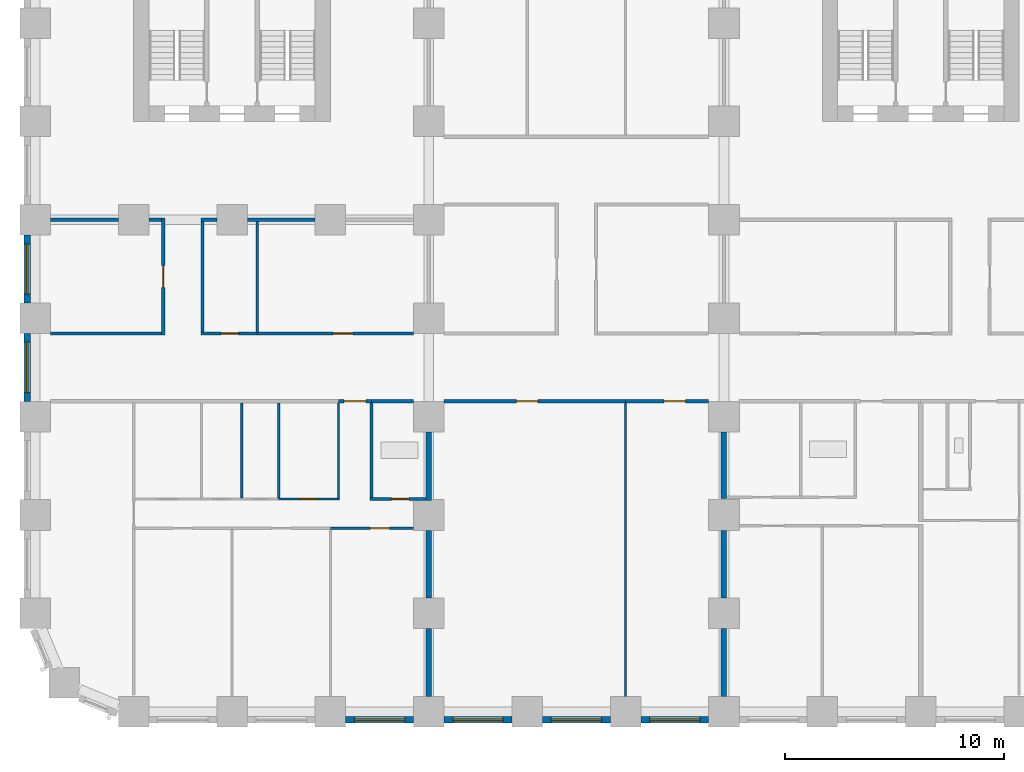
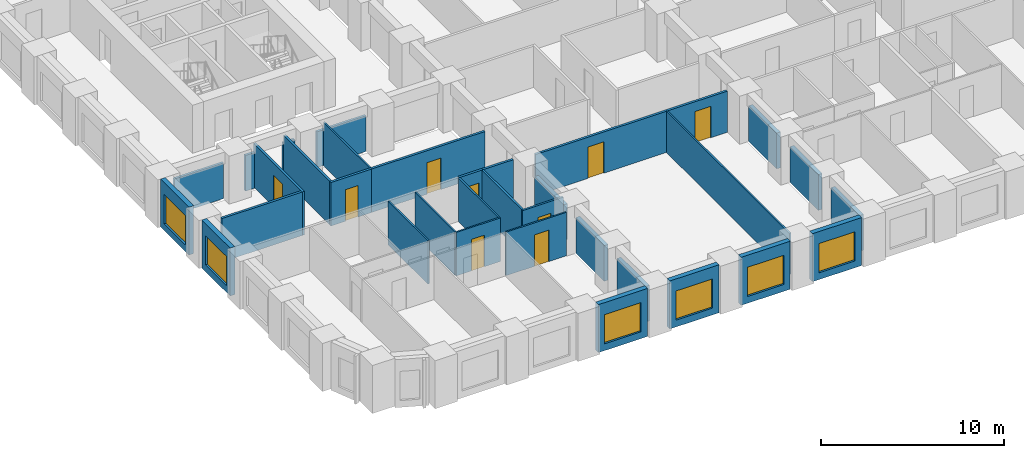
# One storey, part 3 of 13: 34 walls, 9 doors, 6 windows, 15 openings.
"""IFC4 building model written with IfcOpenShell, lengths in metres."""

from ifc_helpers import new_model, si_unit, direction, frame, frame_2d, origin, place, context, subcontext, project, spatial, rectangle, extrude, material, layer, layer_set, type_object, element, fill, save


model = new_model("IFC4")

# Units and contexts
model_context = context("Model", 3, precision=1e-05, world=origin(), true_north=direction((0.0, 1.0)))
body_context = subcontext(model_context, "Body", "Model", "MODEL_VIEW")
ifc_project = project(units=[si_unit("LENGTHUNIT", "METRE"), si_unit("AREAUNIT", "SQUARE_METRE"), si_unit("VOLUMEUNIT", "CUBIC_METRE"), si_unit("PLANEANGLEUNIT", "RADIAN"), si_unit("MASSUNIT", "GRAM", prefix="KILO")], contexts=[model_context])

# Site, building, storey
site_placement = place(None, origin())
site = spatial("IfcSite", under=ifc_project, at=site_placement, CompositionType="ELEMENT")
building_placement = place(site_placement, origin())
building = spatial("IfcBuilding", under=site, at=building_placement, Name="Girih Gate Residences", CompositionType="ELEMENT")
storey_placement = place(building_placement, frame((0.0, 0.0, 46.39990234375)))
storey = spatial("IfcBuildingStorey", under=building, at=storey_placement, Name="L11", CompositionType="ELEMENT", Elevation=46.39990234375)

# Walls
ifc_material_1 = material(Name="Gypsum board on steel studs", Category="steel")
ifc_layer_1 = layer(ifc_material_1, 0.25)
ifc_layer_set_1 = layer_set([ifc_layer_1], Name="Acoustic separating wall 250 mm")
wall_type_1 = type_object("IfcWallType", Name="Acoustic separating wall 250 mm", PredefinedType="PARTITIONING", material=ifc_layer_set_1)
wall_1_placement = place(storey_placement, frame((18.0, 9.66748046875, 0.0), z_axis=(0.0, 0.0, 1.0), x_axis=(0.0, 1.0, 0.0)))
element("IfcWall", 1, at=wall_1_placement, inside=storey, type_object=wall_type_1, Name="L11 partition", PredefinedType="PARTITIONING", context=body_context, shape_type="SweptSolid", body=[
    extrude(rectangle(XDim=3.132568359375, YDim=0.25, at=frame_2d((1.56640625, 0.0))), origin(), (0.0, 0.0, 1.0), 2.380126953125),
])
for number, where, z_axis, x_axis, name in (
    (2, (18.0, 5.199951171875, 0.0), (0.0, 0.0, 1.0), (0.0, 1.0, 0.0), "L11 partition"),
    (3, (18.0, 0.699951171875, 0.0), (0.0, 0.0, 1.0), (0.0, 1.0, 0.0), "L11 partition"),
):
    element("IfcWall", number, at=place(storey_placement, frame(where, z_axis=z_axis, x_axis=x_axis)), inside=storey, type_object=wall_type_1, Name=name, PredefinedType="PARTITIONING", context=body_context, shape_type="SweptSolid", body=[
        extrude(rectangle(XDim=3.10009765625, YDim=0.25, at=frame_2d((1.550048828125, 0.0))), origin(), (0.0, 0.0, 1.0), 2.380126953125),
    ])
wall_2_placement = place(storey_placement, frame((31.5, 9.760009765625, 0.0), z_axis=(0.0, 0.0, 1.0), x_axis=(0.0, 1.0, 0.0)))
element("IfcWall", 4, at=wall_2_placement, inside=storey, type_object=wall_type_1, Name="L11 partition", PredefinedType="PARTITIONING", context=body_context, shape_type="SweptSolid", body=[
    extrude(rectangle(XDim=3.0400390625, YDim=0.25, at=frame_2d((1.52001953125, 0.0))), origin(), (0.0, 0.0, 1.0), 2.380126953125),
])
for number, where, z_axis, x_axis, name in (
    (5, (31.5, 0.699951171875, 0.0), (0.0, 0.0, 1.0), (0.0, 1.0, 0.0), "L11 partition"),
    (6, (31.5, 5.199951171875, 0.0), (0.0, 0.0, 1.0), (0.0, 1.0, 0.0), "L11 partition"),
):
    element("IfcWall", number, at=place(storey_placement, frame(where, z_axis=z_axis, x_axis=x_axis)), inside=storey, type_object=wall_type_1, Name=name, PredefinedType="PARTITIONING", context=body_context, shape_type="SweptSolid", body=[
        extrude(rectangle(XDim=3.10009765625, YDim=0.25, at=frame_2d((1.550048828125, 0.0))), origin(), (0.0, 0.0, 1.0), 2.380126953125),
    ])
ifc_layer_2 = layer(ifc_material_1, 0.14990234375)
ifc_layer_set_2 = layer_set([ifc_layer_2], Name="Compartment wall 150 mm")
wall_type_2 = type_object("IfcWallType", Name="Compartment wall 150 mm", PredefinedType="PARTITIONING", material=ifc_layer_set_2)
wall_3_placement = place(storey_placement, frame((15.375, 14.199951171875, 0.0), z_axis=(0.0, 0.0, 1.0), x_axis=(1.0, 0.0, 0.0)))
element("IfcWall", 7, at=wall_3_placement, inside=storey, type_object=wall_type_2, Name="L11 partition", PredefinedType="PARTITIONING", context=body_context, shape_type="SweptSolid", body=[
    extrude(rectangle(XDim=1.925048828125, YDim=0.14990234375, at=frame_2d((0.96240234375, 0.0))), origin(), (0.0, 0.0, 1.0), 2.900146484375),
])

# Wall, opening, door
wall_4_placement = place(storey_placement, frame((15.375, 14.199951171875, 0.0), z_axis=(0.0, 0.0, 1.0), x_axis=(-1.0, 0.0, 0.0)))
wall_4 = element("IfcWall", 8, at=wall_4_placement, inside=storey, type_object=wall_type_2, Name="L11 partition", PredefinedType="PARTITIONING", context=body_context, shape_type="SweptSolid", body=[
    extrude(rectangle(XDim=1.5, YDim=0.14990234375, at=frame_2d((0.75, 0.0))), origin(), (0.0, 0.0, 1.0), 2.900146484375),
])
opening_1_placement = place(wall_4_placement, frame((0.25, 0.0, 0.0)))
opening_1 = element("IfcOpeningElement", 9, at=opening_1_placement, cuts=wall_4, Name="Opening A11-010", PredefinedType="OPENING", context=body_context, shape_type="SweptSolid", body=[
    extrude(rectangle(XDim=1.0, YDim=2.10009765625, at=frame_2d((0.5, 1.050048828125))), frame((0.0, 0.0849609375, 0.0), z_axis=(0.0, -1.0, 0.0), x_axis=(1.0, 0.0, 0.0)), (0.0, 0.0, 1.0), 0.169921875),
])
ifc_material_2 = material(Name="Timber, fire-rated core", Category="wood")
door_type_1 = type_object("IfcDoorType", Name="Flat entrance door 1000x2100 FD30S", OperationType="NOTDEFINED", PredefinedType="DOOR", material=ifc_material_2)
door_1_placement = place(opening_1_placement, origin())
door_1 = element("IfcDoor", 10, at=door_1_placement, inside=storey, type_object=door_type_1, Name="Door A11-010", OperationType="SINGLE_SWING_RIGHT", OverallHeight=2.10009765625, OverallWidth=1.0, PredefinedType="DOOR", context=body_context, shape_type="SweptSolid", body=[
    extrude(rectangle(XDim=1.0, YDim=2.10009765625, at=frame_2d((0.5, 1.050048828125))), frame((0.0, 0.02490234375, 0.0), z_axis=(0.0, -1.0, 0.0), x_axis=(1.0, 0.0, 0.0)), (0.0, 0.0, 1.0), 0.050048828125),
])
fill(opening_1, door_1)

wall_5_placement = place(storey_placement, frame((27.0, 14.199951171875, 0.0), z_axis=(0.0, 0.0, 1.0), x_axis=(-1.0, 0.0, 0.0)))
wall_5 = element("IfcWall", 11, at=wall_5_placement, inside=storey, type_object=wall_type_2, Name="L11 partition", PredefinedType="PARTITIONING", context=body_context, shape_type="SweptSolid", body=[
    extrude(rectangle(XDim=8.300048828125, YDim=0.14990234375, at=frame_2d((4.14990234375, 0.0))), origin(), (0.0, 0.0, 1.0), 2.75),
])
opening_2_placement = place(wall_5_placement, frame((4.0, 0.0, 0.0)))
opening_2 = element("IfcOpeningElement", 12, at=opening_2_placement, cuts=wall_5, Name="Opening A11-049", PredefinedType="OPENING", context=body_context, shape_type="SweptSolid", body=[
    extrude(rectangle(XDim=1.0, YDim=2.10009765625, at=frame_2d((0.5, 1.050048828125))), frame((0.0, 0.0849609375, 0.0), z_axis=(0.0, -1.0, 0.0), x_axis=(1.0, 0.0, 0.0)), (0.0, 0.0, 1.0), 0.169921875),
])
door_type_2 = type_object("IfcDoorType", Name="Amenity room door 1000x2100 FD30S", OperationType="NOTDEFINED", PredefinedType="DOOR", material=ifc_material_2)
door_2_placement = place(opening_2_placement, origin())
door_2 = element("IfcDoor", 13, at=door_2_placement, inside=storey, type_object=door_type_2, Name="Door A11-049", OperationType="SINGLE_SWING_RIGHT", OverallHeight=2.10009765625, OverallWidth=1.0, PredefinedType="DOOR", context=body_context, shape_type="SweptSolid", body=[
    extrude(rectangle(XDim=1.0, YDim=2.10009765625, at=frame_2d((0.5, 1.050048828125))), frame((0.0, 0.02490234375, 0.0), z_axis=(0.0, -1.0, 0.0), x_axis=(1.0, 0.0, 0.0)), (0.0, 0.0, 1.0), 0.050048828125),
])
fill(opening_2, door_2)

wall_6_placement = place(storey_placement, frame((30.800048828125, 14.199951171875, 0.0), z_axis=(0.0, 0.0, 1.0), x_axis=(-1.0, 0.0, 0.0)))
wall_6 = element("IfcWall", 14, at=wall_6_placement, inside=storey, type_object=wall_type_2, Name="L11 partition", PredefinedType="PARTITIONING", context=body_context, shape_type="SweptSolid", body=[
    extrude(rectangle(XDim=3.800048828125, YDim=0.14990234375, at=frame_2d((1.89990234375, 0.0))), origin(), (0.0, 0.0, 1.0), 2.75),
])
opening_3_placement = place(wall_6_placement, frame((1.050048828125, 0.0, 0.0)))
opening_3 = element("IfcOpeningElement", 15, at=opening_3_placement, cuts=wall_6, Name="Opening A11-050", PredefinedType="OPENING", context=body_context, shape_type="SweptSolid", body=[
    extrude(rectangle(XDim=1.0, YDim=2.10009765625, at=frame_2d((0.5, 1.050048828125))), frame((0.0, 0.0849609375, 0.0), z_axis=(0.0, -1.0, 0.0), x_axis=(1.0, 0.0, 0.0)), (0.0, 0.0, 1.0), 0.169921875),
])
door_3_placement = place(opening_3_placement, origin())
door_3 = element("IfcDoor", 16, at=door_3_placement, inside=storey, type_object=door_type_2, Name="Door A11-050", OperationType="SINGLE_SWING_LEFT", OverallHeight=2.10009765625, OverallWidth=1.0, PredefinedType="DOOR", context=body_context, shape_type="SweptSolid", body=[
    extrude(rectangle(XDim=1.0, YDim=2.10009765625, at=frame_2d((0.5, 1.050048828125))), frame((0.0, 0.02490234375, 0.0), z_axis=(0.0, -1.0, 0.0), x_axis=(1.0, 0.0, 0.0)), (0.0, 0.0, 1.0), 0.050048828125),
])
fill(opening_3, door_3)

wall_7_placement = place(storey_placement, frame((10.14990234375, 17.300048828125, 0.0), z_axis=(0.0, 0.0, 1.0), x_axis=(1.0, 0.0, 0.0)))
wall_7 = element("IfcWall", 17, at=wall_7_placement, inside=storey, type_object=wall_type_2, Name="L11 partition", PredefinedType="PARTITIONING", context=body_context, shape_type="SweptSolid", body=[
    extrude(rectangle(XDim=7.150146484375, YDim=0.14990234375, at=frame_2d((3.5751953125, 0.0))), origin(), (0.0, 0.0, 1.0), 2.900146484375),
])
opening_4_placement = place(wall_7_placement, frame((3.47509765625, 0.0, 0.0)))
opening_4 = element("IfcOpeningElement", 18, at=opening_4_placement, cuts=wall_7, Name="Opening A11-054", PredefinedType="OPENING", context=body_context, shape_type="SweptSolid", body=[
    extrude(rectangle(XDim=0.89990234375, YDim=2.10009765625, at=frame_2d((0.449951171875, 1.050048828125))), frame((0.0, 0.0849609375, 0.0), z_axis=(0.0, -1.0, 0.0), x_axis=(1.0, 0.0, 0.0)), (0.0, 0.0, 1.0), 0.169921875),
])
ifc_material_3 = material(Name="Timber", Category="wood")
door_type_3 = type_object("IfcDoorType", Name="Service room door 900x2100", OperationType="NOTDEFINED", PredefinedType="DOOR", material=ifc_material_3)
door_4_placement = place(opening_4_placement, origin())
door_4 = element("IfcDoor", 19, at=door_4_placement, inside=storey, type_object=door_type_3, Name="Door A11-054", OperationType="SINGLE_SWING_RIGHT", OverallHeight=2.10009765625, OverallWidth=0.89990234375, PredefinedType="DOOR", context=body_context, shape_type="SweptSolid", body=[
    extrude(rectangle(XDim=0.89990234375, YDim=2.10009765625, at=frame_2d((0.449951171875, 1.050048828125))), frame((0.0, 0.02490234375, 0.0), z_axis=(0.0, -1.0, 0.0), x_axis=(1.0, 0.0, 0.0)), (0.0, 0.0, 1.0), 0.050048828125),
])
fill(opening_4, door_4)

wall_8_placement = place(storey_placement, frame((7.574951171875, 17.300048828125, 0.0), z_axis=(0.0, 0.0, 1.0), x_axis=(1.0, 0.0, 0.0)))
wall_8 = element("IfcWall", 20, at=wall_8_placement, inside=storey, type_object=wall_type_2, Name="L11 partition", PredefinedType="PARTITIONING", context=body_context, shape_type="SweptSolid", body=[
    extrude(rectangle(XDim=2.574951171875, YDim=0.14990234375, at=frame_2d((1.28759765625, 0.0))), origin(), (0.0, 0.0, 1.0), 2.900146484375),
])
opening_5_placement = place(wall_8_placement, frame((0.925048828125, 0.0, 0.0)))
opening_5 = element("IfcOpeningElement", 21, at=opening_5_placement, cuts=wall_8, Name="Opening A11-056", PredefinedType="OPENING", context=body_context, shape_type="SweptSolid", body=[
    extrude(rectangle(XDim=0.800048828125, YDim=2.10009765625, at=frame_2d((0.39990234375, 1.050048828125))), frame((0.0, 0.0849609375, 0.0), z_axis=(0.0, -1.0, 0.0), x_axis=(1.0, 0.0, 0.0)), (0.0, 0.0, 1.0), 0.169921875),
])
door_type_4 = type_object("IfcDoorType", Name="Bathroom door 800x2100", OperationType="NOTDEFINED", PredefinedType="DOOR", material=ifc_material_3)
door_5_placement = place(opening_5_placement, origin())
door_5 = element("IfcDoor", 22, at=door_5_placement, inside=storey, type_object=door_type_4, Name="Door A11-056", OperationType="SINGLE_SWING_RIGHT", OverallHeight=2.10009765625, OverallWidth=0.800048828125, PredefinedType="DOOR", context=body_context, shape_type="SweptSolid", body=[
    extrude(rectangle(XDim=0.800048828125, YDim=2.10009765625, at=frame_2d((0.39990234375, 1.050048828125))), frame((0.0, 0.02490234375, 0.0), z_axis=(0.0, -1.0, 0.0), x_axis=(1.0, 0.0, 0.0)), (0.0, 0.0, 1.0), 0.050048828125),
])
fill(opening_5, door_5)

# Walls
wall_9_placement = place(storey_placement, frame((0.699951171875, 17.300048828125, 0.0), z_axis=(0.0, 0.0, 1.0), x_axis=(1.0, 0.0, 0.0)))
element("IfcWall", 23, at=wall_9_placement, inside=storey, type_object=wall_type_2, Name="L11 partition", PredefinedType="PARTITIONING", context=body_context, shape_type="SweptSolid", body=[
    extrude(rectangle(XDim=5.074951171875, YDim=0.14990234375, at=frame_2d((2.53759765625, 0.0))), origin(), (0.0, 0.0, 1.0), 2.900146484375),
])
wall_10_placement = place(storey_placement, frame((9.699951171875, 22.5, 0.0), z_axis=(0.0, 0.0, 1.0), x_axis=(1.0, 0.0, 0.0)))
element("IfcWall", 24, at=wall_10_placement, inside=storey, type_object=wall_type_2, Name="L11 partition", PredefinedType="PARTITIONING", context=body_context, shape_type="SweptSolid", body=[
    extrude(rectangle(XDim=3.10009765625, YDim=0.14990234375, at=frame_2d((1.550048828125, 0.0))), origin(), (0.0, 0.0, 1.0), 2.380126953125),
])
wall_11_placement = place(storey_placement, frame((7.574951171875, 22.5, 0.0), z_axis=(0.0, 0.0, 1.0), x_axis=(1.0, 0.0, 0.0)))
element("IfcWall", 25, at=wall_11_placement, inside=storey, type_object=wall_type_2, Name="L11 partition", PredefinedType="PARTITIONING", context=body_context, shape_type="SweptSolid", body=[
    extrude(rectangle(XDim=0.72509765625, YDim=0.14990234375, at=frame_2d((0.362548828125, 0.0))), origin(), (0.0, 0.0, 1.0), 2.380126953125),
])
wall_12_placement = place(storey_placement, frame((5.199951171875, 22.5, 0.0), z_axis=(0.0, 0.0, 1.0), x_axis=(1.0, 0.0, 0.0)))
element("IfcWall", 26, at=wall_12_placement, inside=storey, type_object=wall_type_2, Name="L11 partition", PredefinedType="PARTITIONING", context=body_context, shape_type="SweptSolid", body=[
    extrude(rectangle(XDim=0.574951171875, YDim=0.14990234375, at=frame_2d((0.28759765625, 0.0))), origin(), (0.0, 0.0, 1.0), 2.380126953125),
])
wall_13_placement = place(storey_placement, frame((0.699951171875, 22.5, 0.0), z_axis=(0.0, 0.0, 1.0), x_axis=(1.0, 0.0, 0.0)))
element("IfcWall", 27, at=wall_13_placement, inside=storey, type_object=wall_type_2, Name="L11 partition", PredefinedType="PARTITIONING", context=body_context, shape_type="SweptSolid", body=[
    extrude(rectangle(XDim=3.10009765625, YDim=0.14990234375, at=frame_2d((1.550048828125, 0.0))), origin(), (0.0, 0.0, 1.0), 2.380126953125),
])
wall_14_placement = place(storey_placement, frame((7.64990234375, 17.375, 0.0), z_axis=(0.0, 0.0, 1.0), x_axis=(0.0, 1.0, 0.0)))
element("IfcWall", 28, at=wall_14_placement, inside=storey, type_object=wall_type_2, Name="L11 partition", PredefinedType="PARTITIONING", context=body_context, shape_type="SweptSolid", body=[
    extrude(rectangle(XDim=5.050048828125, YDim=0.14990234375, at=frame_2d((2.52490234375, 0.0))), origin(), (0.0, 0.0, 1.0), 2.900146484375),
])

# Wall, opening, door
wall_15_placement = place(storey_placement, frame((5.85009765625, 17.22509765625, 0.0), z_axis=(0.0, 0.0, 1.0), x_axis=(0.0, 1.0, 0.0)))
wall_15 = element("IfcWall", 29, at=wall_15_placement, inside=storey, type_object=wall_type_2, Name="L11 partition", PredefinedType="PARTITIONING", context=body_context, shape_type="SweptSolid", body=[
    extrude(rectangle(XDim=5.349853515625, YDim=0.14990234375, at=frame_2d((2.6748046875, 0.0))), origin(), (0.0, 0.0, 1.0), 2.900146484375),
])
opening_6_placement = place(wall_15_placement, frame((2.175048828125, 0.0, 0.0)))
opening_6 = element("IfcOpeningElement", 30, at=opening_6_placement, cuts=wall_15, Name="Opening A11-058", PredefinedType="OPENING", context=body_context, shape_type="SweptSolid", body=[
    extrude(rectangle(XDim=1.0, YDim=2.10009765625, at=frame_2d((0.5, 1.050048828125))), frame((0.0, 0.0849609375, 0.0), z_axis=(0.0, -1.0, 0.0), x_axis=(1.0, 0.0, 0.0)), (0.0, 0.0, 1.0), 0.169921875),
])
door_6_placement = place(opening_6_placement, origin())
door_6 = element("IfcDoor", 31, at=door_6_placement, inside=storey, type_object=door_type_2, Name="Door A11-058", OperationType="SINGLE_SWING_LEFT", OverallHeight=2.10009765625, OverallWidth=1.0, PredefinedType="DOOR", context=body_context, shape_type="SweptSolid", body=[
    extrude(rectangle(XDim=1.0, YDim=2.10009765625, at=frame_2d((0.5, 1.050048828125))), frame((0.0, 0.02490234375, 0.0), z_axis=(0.0, -1.0, 0.0), x_axis=(1.0, 0.0, 0.0)), (0.0, 0.0, 1.0), 0.050048828125),
])
fill(opening_6, door_6)

ifc_layer_3 = layer(ifc_material_1, 0.10009765625)
ifc_layer_set_3 = layer_set([ifc_layer_3], Name="Partition 100 mm")
wall_type_3 = type_object("IfcWallType", Name="Partition 100 mm", PredefinedType="PARTITIONING", material=ifc_layer_set_3)
wall_16_placement = place(storey_placement, frame((17.300048828125, 8.389892578125, 0.0), z_axis=(0.0, 0.0, 1.0), x_axis=(-1.0, 0.0, 0.0)))
wall_16 = element("IfcWall", 32, at=wall_16_placement, inside=storey, type_object=wall_type_3, Name="L11 partition", PredefinedType="PARTITIONING", context=body_context, shape_type="SweptSolid", body=[
    extrude(rectangle(XDim=3.800048828125, YDim=0.10009765625, at=frame_2d((1.89990234375, 0.0))), origin(), (0.0, 0.0, 1.0), 2.900146484375),
])
opening_7_placement = place(wall_16_placement, frame((1.10009765625, 0.0, 0.0)))
opening_7 = element("IfcOpeningElement", 33, at=opening_7_placement, cuts=wall_16, Name="Opening A11-004", PredefinedType="OPENING", context=body_context, shape_type="SweptSolid", body=[
    extrude(rectangle(XDim=0.89990234375, YDim=2.10009765625, at=frame_2d((0.449951171875, 1.050048828125))), frame((0.0, 0.06005859375, 0.0), z_axis=(0.0, -1.0, 0.0), x_axis=(1.0, 0.0, 0.0)), (0.0, 0.0, 1.0), 0.1201171875),
])
door_type_5 = type_object("IfcDoorType", Name="Bedroom door 900x2100", OperationType="NOTDEFINED", PredefinedType="DOOR", material=ifc_material_3)
door_7_placement = place(opening_7_placement, origin())
door_7 = element("IfcDoor", 34, at=door_7_placement, inside=storey, type_object=door_type_5, Name="Door A11-004", OperationType="SINGLE_SWING_LEFT", OverallHeight=2.10009765625, OverallWidth=0.89990234375, PredefinedType="DOOR", context=body_context, shape_type="SweptSolid", body=[
    extrude(rectangle(XDim=0.89990234375, YDim=2.10009765625, at=frame_2d((0.449951171875, 1.050048828125))), frame((0.0, 0.02490234375, 0.0), z_axis=(0.0, -1.0, 0.0), x_axis=(1.0, 0.0, 0.0)), (0.0, 0.0, 1.0), 0.050048828125),
])
fill(opening_7, door_7)

# Wall
wall_17_placement = place(storey_placement, frame((13.875, 9.780029296875, 0.0), z_axis=(0.0, 0.0, 1.0), x_axis=(0.0, 1.0, 0.0)))
element("IfcWall", 35, at=wall_17_placement, inside=storey, type_object=wall_type_3, Name="L11 partition", PredefinedType="PARTITIONING", context=body_context, shape_type="SweptSolid", body=[
    extrude(rectangle(XDim=4.344970703125, YDim=0.10009765625, at=frame_2d((2.17236328125, 0.0))), origin(), (0.0, 0.0, 1.0), 2.900146484375),
])

# Wall, opening, door
wall_18_placement = place(storey_placement, frame((11.1318359375, 9.72998046875, 0.0), z_axis=(0.0, 0.0, 1.0), x_axis=(1.0, 0.0, 0.0)))
wall_18 = element("IfcWall", 36, at=wall_18_placement, inside=storey, type_object=wall_type_3, Name="L11 partition", PredefinedType="PARTITIONING", context=body_context, shape_type="SweptSolid", body=[
    extrude(rectangle(XDim=2.793212890625, YDim=0.10009765625, at=frame_2d((1.396484375, 0.0))), origin(), (0.0, 0.0, 1.0), 2.900146484375),
])
opening_8_placement = place(wall_18_placement, frame((0.9716796875, 0.0, 0.0)))
opening_8 = element("IfcOpeningElement", 37, at=opening_8_placement, cuts=wall_18, Name="Opening A11-005", PredefinedType="OPENING", context=body_context, shape_type="SweptSolid", body=[
    extrude(rectangle(XDim=0.800048828125, YDim=2.10009765625, at=frame_2d((0.39990234375, 1.050048828125))), frame((0.0, 0.06005859375, 0.0), z_axis=(0.0, -1.0, 0.0), x_axis=(1.0, 0.0, 0.0)), (0.0, 0.0, 1.0), 0.1201171875),
])
door_type_6 = type_object("IfcDoorType", Name="Store door 800x2100", OperationType="NOTDEFINED", PredefinedType="DOOR", material=ifc_material_3)
door_8_placement = place(opening_8_placement, origin())
door_8 = element("IfcDoor", 38, at=door_8_placement, inside=storey, type_object=door_type_6, Name="Door A11-005", OperationType="SINGLE_SWING_LEFT", OverallHeight=2.10009765625, OverallWidth=0.800048828125, PredefinedType="DOOR", context=body_context, shape_type="SweptSolid", body=[
    extrude(rectangle(XDim=0.800048828125, YDim=2.10009765625, at=frame_2d((0.39990234375, 1.050048828125))), frame((0.0, 0.02490234375, 0.0), z_axis=(0.0, -1.0, 0.0), x_axis=(1.0, 0.0, 0.0)), (0.0, 0.0, 1.0), 0.050048828125),
])
fill(opening_8, door_8)

# Walls
for number, where, z_axis, x_axis, name in (
    (39, (11.132080078125, 9.780029296875, 0.0), (0.0, 0.0, 1.0), (0.0, 1.0, 0.0), "L11 partition"),
    (40, (9.44189453125, 9.780029296875, 0.0), (0.0, 0.0, 1.0), (0.0, 1.0, 0.0), "L11 partition"),
):
    element("IfcWall", number, at=place(storey_placement, frame(where, z_axis=z_axis, x_axis=x_axis)), inside=storey, type_object=wall_type_3, Name=name, PredefinedType="PARTITIONING", context=body_context, shape_type="SweptSolid", body=[
        extrude(rectangle(XDim=4.344970703125, YDim=0.10009765625, at=frame_2d((2.17236328125, 0.0))), origin(), (0.0, 0.0, 1.0), 2.900146484375),
    ])
wall_19_placement = place(storey_placement, frame((27.0, 0.699951171875, 0.0), z_axis=(0.0, 0.0, 1.0), x_axis=(0.0, 1.0, 0.0)))
element("IfcWall", 41, at=wall_19_placement, inside=storey, type_object=wall_type_3, Name="L11 partition", PredefinedType="PARTITIONING", context=body_context, shape_type="SweptSolid", body=[
    extrude(rectangle(XDim=13.425048828125, YDim=0.10009765625, at=frame_2d((6.71240234375, 0.0))), origin(), (0.0, 0.0, 1.0), 2.75),
])
wall_20_placement = place(storey_placement, frame((10.14990234375, 17.375, 0.0), z_axis=(0.0, 0.0, 1.0), x_axis=(0.0, 1.0, 0.0)))
element("IfcWall", 42, at=wall_20_placement, inside=storey, type_object=wall_type_3, Name="L11 partition", PredefinedType="PARTITIONING", context=body_context, shape_type="SweptSolid", body=[
    extrude(rectangle(XDim=5.050048828125, YDim=0.10009765625, at=frame_2d((2.52490234375, 0.0))), origin(), (0.0, 0.0, 1.0), 2.900146484375),
])

# Wall, opening, window
ifc_material_4 = material(Name="Precast concrete C50/60", Category="concrete")
ifc_layer_4 = layer(ifc_material_4, 0.080078125, Name="Outer leaf")
ifc_material_5 = material(Name="Rigid PIR insulation")
ifc_layer_5 = layer(ifc_material_5, 0.14990234375, Name="Insulation")
ifc_material_6 = material(Name="Precast concrete C40/50", Category="concrete")
ifc_layer_6 = layer(ifc_material_6, 0.070068359375, Name="Inner leaf")
ifc_layer_set_4 = layer_set([ifc_layer_4, ifc_layer_5, ifc_layer_6], Name="Precast concrete C50/60 external wall 300")
wall_type_4 = type_object("IfcWallType", Name="Precast concrete C50/60 external wall 300", PredefinedType="SOLIDWALL", material=ifc_layer_set_4)
wall_21_placement = place(storey_placement, frame((17.300048828125, -0.375, 0.0), z_axis=(0.0, 0.0, 1.0), x_axis=(-1.0, 0.0, 0.0)))
wall_21 = element("IfcWall", 43, at=wall_21_placement, inside=storey, type_object=wall_type_4, Name="External wall S0045_0000.2", PredefinedType="SOLIDWALL", context=body_context, shape_type="SweptSolid", body=[
    extrude(rectangle(XDim=3.10009765625, YDim=0.300048828125, at=frame_2d((1.550048828125, 0.0))), origin(), (0.0, 0.0, 1.0), 3.2001953125),
])
opening_9_placement = place(wall_21_placement, frame((0.39990234375, 0.0, 0.449951171875)))
opening_9 = element("IfcOpeningElement", 44, at=opening_9_placement, cuts=wall_21, Name="Opening W-1", PredefinedType="OPENING", context=body_context, shape_type="SweptSolid", body=[
    extrude(rectangle(XDim=2.300048828125, YDim=1.949951171875, at=frame_2d((1.14990234375, 0.97509765625))), frame((0.0, 0.159912109375, 0.0), z_axis=(0.0, -1.0, 0.0), x_axis=(1.0, 0.0, 0.0)), (0.0, 0.0, 1.0), 0.320068359375),
])
ifc_material_7 = material(Name="Double glazing in aluminium frame", Category="aluminium")
window_type = type_object("IfcWindowType", Name="Window W-1 2300x1950", PartitioningType="SINGLE_PANEL", PredefinedType="WINDOW", material=ifc_material_7)
window_1_placement = place(opening_9_placement, origin())
window_1 = element("IfcWindow", 45, at=window_1_placement, inside=storey, type_object=window_type, Name="Window W-1 S0045_0000.2", OverallHeight=1.949951171875, OverallWidth=2.300048828125, PartitioningType="SINGLE_PANEL", PredefinedType="WINDOW", context=body_context, shape_type="SweptSolid", body=[
    extrude(rectangle(XDim=2.300048828125, YDim=1.949951171875, at=frame_2d((1.14990234375, 0.97509765625))), frame((0.0, 0.030029296875, 0.0), z_axis=(0.0, -1.0, 0.0), x_axis=(1.0, 0.0, 0.0)), (0.0, 0.0, 1.0), 0.06005859375),
])
fill(opening_9, window_1)

wall_22_placement = place(storey_placement, frame((21.800048828125, -0.375, 0.0), z_axis=(0.0, 0.0, 1.0), x_axis=(-1.0, 0.0, 0.0)))
wall_22 = element("IfcWall", 46, at=wall_22_placement, inside=storey, type_object=wall_type_4, Name="External wall S0045_0000.3", PredefinedType="SOLIDWALL", context=body_context, shape_type="SweptSolid", body=[
    extrude(rectangle(XDim=3.10009765625, YDim=0.300048828125, at=frame_2d((1.550048828125, 0.0))), origin(), (0.0, 0.0, 1.0), 3.2001953125),
])
opening_10_placement = place(wall_22_placement, frame((0.39990234375, 0.0, 0.449951171875)))
opening_10 = element("IfcOpeningElement", 47, at=opening_10_placement, cuts=wall_22, Name="Opening W-1", PredefinedType="OPENING", context=body_context, shape_type="SweptSolid", body=[
    extrude(rectangle(XDim=2.300048828125, YDim=1.949951171875, at=frame_2d((1.14990234375, 0.97509765625))), frame((0.0, 0.159912109375, 0.0), z_axis=(0.0, -1.0, 0.0), x_axis=(1.0, 0.0, 0.0)), (0.0, 0.0, 1.0), 0.320068359375),
])
window_2_placement = place(opening_10_placement, origin())
window_2 = element("IfcWindow", 48, at=window_2_placement, inside=storey, type_object=window_type, Name="Window W-1 S0045_0000.3", OverallHeight=1.949951171875, OverallWidth=2.300048828125, PartitioningType="SINGLE_PANEL", PredefinedType="WINDOW", context=body_context, shape_type="SweptSolid", body=[
    extrude(rectangle(XDim=2.300048828125, YDim=1.949951171875, at=frame_2d((1.14990234375, 0.97509765625))), frame((0.0, 0.030029296875, 0.0), z_axis=(0.0, -1.0, 0.0), x_axis=(1.0, 0.0, 0.0)), (0.0, 0.0, 1.0), 0.06005859375),
])
fill(opening_10, window_2)

wall_23_placement = place(storey_placement, frame((26.300048828125, -0.375, 0.0), z_axis=(0.0, 0.0, 1.0), x_axis=(-1.0, 0.0, 0.0)))
wall_23 = element("IfcWall", 49, at=wall_23_placement, inside=storey, type_object=wall_type_4, Name="External wall S0045_0000.4", PredefinedType="SOLIDWALL", context=body_context, shape_type="SweptSolid", body=[
    extrude(rectangle(XDim=3.10009765625, YDim=0.300048828125, at=frame_2d((1.550048828125, 0.0))), origin(), (0.0, 0.0, 1.0), 3.2001953125),
])
opening_11_placement = place(wall_23_placement, frame((0.39990234375, 0.0, 0.449951171875)))
opening_11 = element("IfcOpeningElement", 50, at=opening_11_placement, cuts=wall_23, Name="Opening W-1", PredefinedType="OPENING", context=body_context, shape_type="SweptSolid", body=[
    extrude(rectangle(XDim=2.300048828125, YDim=1.949951171875, at=frame_2d((1.14990234375, 0.97509765625))), frame((0.0, 0.159912109375, 0.0), z_axis=(0.0, -1.0, 0.0), x_axis=(1.0, 0.0, 0.0)), (0.0, 0.0, 1.0), 0.320068359375),
])
window_3_placement = place(opening_11_placement, origin())
window_3 = element("IfcWindow", 51, at=window_3_placement, inside=storey, type_object=window_type, Name="Window W-1 S0045_0000.4", OverallHeight=1.949951171875, OverallWidth=2.300048828125, PartitioningType="SINGLE_PANEL", PredefinedType="WINDOW", context=body_context, shape_type="SweptSolid", body=[
    extrude(rectangle(XDim=2.300048828125, YDim=1.949951171875, at=frame_2d((1.14990234375, 0.97509765625))), frame((0.0, 0.030029296875, 0.0), z_axis=(0.0, -1.0, 0.0), x_axis=(1.0, 0.0, 0.0)), (0.0, 0.0, 1.0), 0.06005859375),
])
fill(opening_11, window_3)

wall_24_placement = place(storey_placement, frame((30.800048828125, -0.375, 0.0), z_axis=(0.0, 0.0, 1.0), x_axis=(-1.0, 0.0, 0.0)))
wall_24 = element("IfcWall", 52, at=wall_24_placement, inside=storey, type_object=wall_type_4, Name="External wall S0045_0000.5", PredefinedType="SOLIDWALL", context=body_context, shape_type="SweptSolid", body=[
    extrude(rectangle(XDim=3.10009765625, YDim=0.300048828125, at=frame_2d((1.550048828125, 0.0))), origin(), (0.0, 0.0, 1.0), 3.2001953125),
])
opening_12_placement = place(wall_24_placement, frame((0.39990234375, 0.0, 0.449951171875)))
opening_12 = element("IfcOpeningElement", 53, at=opening_12_placement, cuts=wall_24, Name="Opening W-1", PredefinedType="OPENING", context=body_context, shape_type="SweptSolid", body=[
    extrude(rectangle(XDim=2.300048828125, YDim=1.949951171875, at=frame_2d((1.14990234375, 0.97509765625))), frame((0.0, 0.159912109375, 0.0), z_axis=(0.0, -1.0, 0.0), x_axis=(1.0, 0.0, 0.0)), (0.0, 0.0, 1.0), 0.320068359375),
])
window_4_placement = place(opening_12_placement, origin())
window_4 = element("IfcWindow", 54, at=window_4_placement, inside=storey, type_object=window_type, Name="Window W-1 S0045_0000.5", OverallHeight=1.949951171875, OverallWidth=2.300048828125, PartitioningType="SINGLE_PANEL", PredefinedType="WINDOW", context=body_context, shape_type="SweptSolid", body=[
    extrude(rectangle(XDim=2.300048828125, YDim=1.949951171875, at=frame_2d((1.14990234375, 0.97509765625))), frame((0.0, 0.030029296875, 0.0), z_axis=(0.0, -1.0, 0.0), x_axis=(1.0, 0.0, 0.0)), (0.0, 0.0, 1.0), 0.06005859375),
])
fill(opening_12, window_4)

wall_25_placement = place(storey_placement, frame((-0.375, 18.699951171875, 0.0), z_axis=(0.0, 0.0, 1.0), x_axis=(0.0, 1.0, 0.0)))
wall_25 = element("IfcWall", 55, at=wall_25_placement, inside=storey, type_object=wall_type_4, Name="External wall W0000_0450.5", PredefinedType="SOLIDWALL", context=body_context, shape_type="SweptSolid", body=[
    extrude(rectangle(XDim=3.10009765625, YDim=0.300048828125, at=frame_2d((1.550048828125, 0.0))), origin(), (0.0, 0.0, 1.0), 3.2001953125),
])
opening_13_placement = place(wall_25_placement, frame((0.39990234375, 0.0, 0.449951171875)))
opening_13 = element("IfcOpeningElement", 56, at=opening_13_placement, cuts=wall_25, Name="Opening W-1", PredefinedType="OPENING", context=body_context, shape_type="SweptSolid", body=[
    extrude(rectangle(XDim=2.300048828125, YDim=1.949951171875, at=frame_2d((1.14990234375, 0.97509765625))), frame((0.0, 0.159912109375, 0.0), z_axis=(0.0, -1.0, 0.0), x_axis=(1.0, 0.0, 0.0)), (0.0, 0.0, 1.0), 0.320068359375),
])
window_5_placement = place(opening_13_placement, origin())
window_5 = element("IfcWindow", 57, at=window_5_placement, inside=storey, type_object=window_type, Name="Window W-1 W0000_0450.5", OverallHeight=1.949951171875, OverallWidth=2.300048828125, PartitioningType="SINGLE_PANEL", PredefinedType="WINDOW", context=body_context, shape_type="SweptSolid", body=[
    extrude(rectangle(XDim=2.300048828125, YDim=1.949951171875, at=frame_2d((1.14990234375, 0.97509765625))), frame((0.0, 0.030029296875, 0.0), z_axis=(0.0, -1.0, 0.0), x_axis=(1.0, 0.0, 0.0)), (0.0, 0.0, 1.0), 0.06005859375),
])
fill(opening_13, window_5)

wall_26_placement = place(storey_placement, frame((-0.375, 14.199951171875, 0.0), z_axis=(0.0, 0.0, 1.0), x_axis=(0.0, 1.0, 0.0)))
wall_26 = element("IfcWall", 58, at=wall_26_placement, inside=storey, type_object=wall_type_4, Name="External wall W0000_0450.6", PredefinedType="SOLIDWALL", context=body_context, shape_type="SweptSolid", body=[
    extrude(rectangle(XDim=3.10009765625, YDim=0.300048828125, at=frame_2d((1.550048828125, 0.0))), origin(), (0.0, 0.0, 1.0), 3.2001953125),
])
opening_14_placement = place(wall_26_placement, frame((0.39990234375, 0.0, 0.449951171875)))
opening_14 = element("IfcOpeningElement", 59, at=opening_14_placement, cuts=wall_26, Name="Opening W-1", PredefinedType="OPENING", context=body_context, shape_type="SweptSolid", body=[
    extrude(rectangle(XDim=2.300048828125, YDim=1.949951171875, at=frame_2d((1.14990234375, 0.97509765625))), frame((0.0, 0.159912109375, 0.0), z_axis=(0.0, -1.0, 0.0), x_axis=(1.0, 0.0, 0.0)), (0.0, 0.0, 1.0), 0.320068359375),
])
window_6_placement = place(opening_14_placement, origin())
window_6 = element("IfcWindow", 60, at=window_6_placement, inside=storey, type_object=window_type, Name="Window W-1 W0000_0450.6", OverallHeight=1.949951171875, OverallWidth=2.300048828125, PartitioningType="SINGLE_PANEL", PredefinedType="WINDOW", context=body_context, shape_type="SweptSolid", body=[
    extrude(rectangle(XDim=2.300048828125, YDim=1.949951171875, at=frame_2d((1.14990234375, 0.97509765625))), frame((0.0, 0.030029296875, 0.0), z_axis=(0.0, -1.0, 0.0), x_axis=(1.0, 0.0, 0.0)), (0.0, 0.0, 1.0), 0.06005859375),
])
fill(opening_14, window_6)

# Wall, opening, door
ifc_layer_7 = layer(ifc_material_1, 0.125)
ifc_layer_set_5 = layer_set([ifc_layer_7], Name="Wet room wall 125 mm")
wall_type_5 = type_object("IfcWallType", Name="Wet room wall 125 mm", PredefinedType="PARTITIONING", material=ifc_layer_set_5)
wall_27_placement = place(storey_placement, frame((15.3125, 9.72998046875, 0.0), z_axis=(0.0, 0.0, 1.0), x_axis=(1.0, 0.0, 0.0)))
wall_27 = element("IfcWall", 61, at=wall_27_placement, inside=storey, type_object=wall_type_5, Name="L11 partition", PredefinedType="PARTITIONING", context=body_context, shape_type="SweptSolid", body=[
    extrude(rectangle(XDim=2.5625, YDim=0.125, at=frame_2d((1.28125, 0.0))), origin(), (0.0, 0.0, 1.0), 2.900146484375),
])
opening_15_placement = place(wall_27_placement, frame((0.97509765625, 0.0, 0.0)))
opening_15 = element("IfcOpeningElement", 62, at=opening_15_placement, cuts=wall_27, Name="Opening A11-001", PredefinedType="OPENING", context=body_context, shape_type="SweptSolid", body=[
    extrude(rectangle(XDim=0.800048828125, YDim=2.10009765625, at=frame_2d((0.39990234375, 1.050048828125))), frame((0.0, 0.072509765625, 0.0), z_axis=(0.0, -1.0, 0.0), x_axis=(1.0, 0.0, 0.0)), (0.0, 0.0, 1.0), 0.14501953125),
])
door_9_placement = place(opening_15_placement, origin())
door_9 = element("IfcDoor", 63, at=door_9_placement, inside=storey, type_object=door_type_4, Name="Door A11-001", OperationType="SINGLE_SWING_RIGHT", OverallHeight=2.10009765625, OverallWidth=0.800048828125, PredefinedType="DOOR", context=body_context, shape_type="SweptSolid", body=[
    extrude(rectangle(XDim=0.800048828125, YDim=2.10009765625, at=frame_2d((0.39990234375, 1.050048828125))), frame((0.0, 0.02490234375, 0.0), z_axis=(0.0, -1.0, 0.0), x_axis=(1.0, 0.0, 0.0)), (0.0, 0.0, 1.0), 0.050048828125),
])
fill(opening_15, door_9)

# Wall
wall_28_placement = place(storey_placement, frame((15.375, 9.79248046875, 0.0), z_axis=(0.0, 0.0, 1.0), x_axis=(0.0, 1.0, 0.0)))
element("IfcWall", 64, at=wall_28_placement, inside=storey, type_object=wall_type_5, Name="L11 partition", PredefinedType="PARTITIONING", context=body_context, shape_type="SweptSolid", body=[
    extrude(rectangle(XDim=4.33251953125, YDim=0.125, at=frame_2d((2.166259765625, 0.0))), origin(), (0.0, 0.0, 1.0), 2.900146484375),
])

save(model, "model.ifc")
